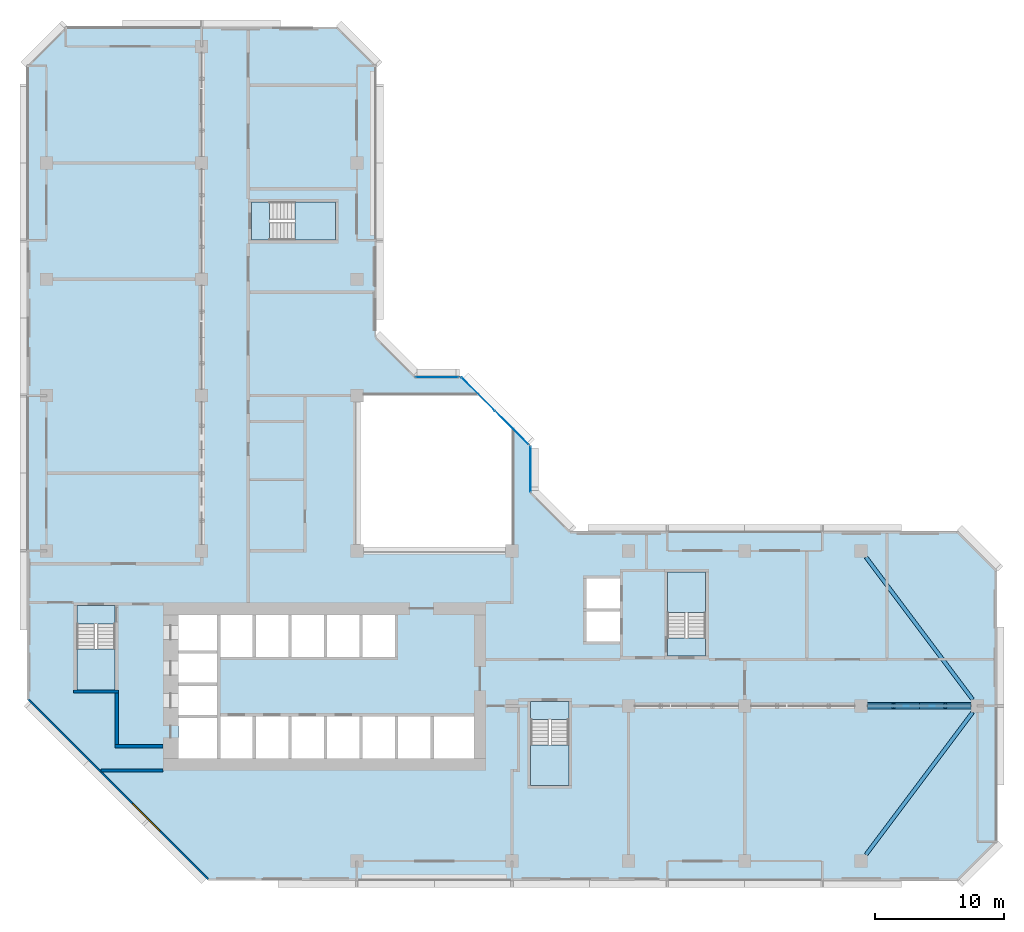
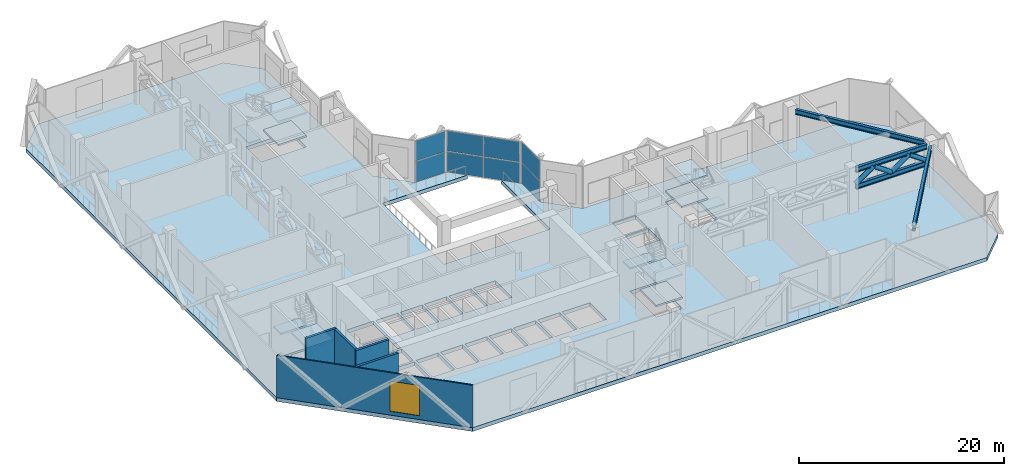
# One storey, part 5 of 15: 13 slabs, 8 plates, 5 walls, 4 beams, 4 members, 1 window, 1 opening, 7 elements without a shape of their own.
"""IFC4 building model written with IfcOpenShell, lengths in metres."""

from ifc_helpers import new_model, si_unit, direction, frame, frame_2d, origin, origin_2d, place, context, subcontext, project, spatial, polyline, rectangle, hollow_circle, i_section, outline, extrude, material, layer, layer_set, material_profile, profile_set, type_object, element, fill, aggregate, save


model = new_model("IFC4")

# Units and contexts
model_context = context("Model", 3, precision=1e-05, world=origin(), true_north=direction((0.0, 1.0)))
body_context = subcontext(model_context, "Body", "Model", "MODEL_VIEW")
ifc_project = project(units=[si_unit("LENGTHUNIT", "METRE"), si_unit("AREAUNIT", "SQUARE_METRE"), si_unit("VOLUMEUNIT", "CUBIC_METRE"), si_unit("PLANEANGLEUNIT", "RADIAN"), si_unit("MASSUNIT", "GRAM", prefix="KILO")], contexts=[model_context])

# Site, building, storey
site_placement = place(None, origin())
site = spatial("IfcSite", under=ifc_project, at=site_placement, CompositionType="ELEMENT")
building_placement = place(site_placement, origin())
building = spatial("IfcBuilding", under=site, at=building_placement, Name="Chenar Terraces", CompositionType="ELEMENT")
storey_placement = place(building_placement, frame((0.0, 0.0, 140.64990234375)))
storey = spatial("IfcBuildingStorey", under=building, at=storey_placement, Name="L33", CompositionType="ELEMENT", Elevation=140.64990234375)

# Beams
ifc_material_1 = material(Name="Structural steel S355", Category="steel")
ifc_material_profile_1 = material_profile(ifc_material_1, i_section(OverallWidth=0.300048828125, OverallDepth=0.60009765625, WebThickness=0.015380859375, FlangeThickness=0.030029296875, FilletRadius=0.027099609375, at=origin_2d()), Name="HEB 600")
ifc_profile_set_1 = profile_set([ifc_material_profile_1], Name="Structural steel S355")
beam_type_1 = type_object("IfcBeamType", Name="Belt truss chord HEB 600 S355", PredefinedType="BEAM", material=ifc_profile_set_1)
for number, where, z_axis, x_axis, name in (
    (1, (63.5, 12.0, 4.75), (1.0, 0.0, 0.0), (0.0, 1.0, 0.0), "Belt truss L33 A3 top chord"),
    (2, (63.5, 12.0, 2.75), (1.0, 0.0, 0.0), (0.0, 1.0, 0.0), "Belt truss L33 A3 bottom chord"),
):
    element("IfcBeam", number, at=place(storey_placement, frame(where, z_axis=z_axis, x_axis=x_axis)), inside=storey, type_object=beam_type_1, Name=name, PredefinedType="BEAM", context=body_context, shape_type="SweptSolid", body=[
        extrude(i_section(OverallWidth=0.300048828125, OverallDepth=0.60009765625, WebThickness=0.015380859375, FlangeThickness=0.030029296875, FilletRadius=0.027099609375, at=origin_2d()), origin(), (0.0, 0.0, 1.0), 8.0),
    ])

# Members
ifc_material_2 = material(Name="Structural steel S355", Category="steel")
ifc_material_profile_2 = material_profile(ifc_material_2, hollow_circle(Radius=0.25390625, WallThickness=0.02001953125, at=origin_2d()), Name="CHS 508x20")
ifc_profile_set_2 = profile_set([ifc_material_profile_2], Name="Structural steel S355")
member_type = type_object("IfcMemberType", Name="Belt truss diagonal CHS 508x20 S355", PredefinedType="BRACE", material=ifc_profile_set_2)
for number, where, z_axis, x_axis, name in (
    (3, (63.5, 12.0, 3.050048828125), (0.819203731481, 0.0, 0.57350261231), (0.0, 1.0, 0.0), "Belt truss L33 A3 diagonal 1"),
    (4, (65.5, 12.0, 4.4501953125), (0.819203731481, 0.0, -0.57350261231), (0.0, 1.0, 0.0), "Belt truss L33 A3 diagonal 2"),
    (5, (67.5, 12.0, 3.050048828125), (0.819203731481, 0.0, 0.57350261231), (0.0, 1.0, 0.0), "Belt truss L33 A3 diagonal 3"),
    (6, (69.5, 12.0, 4.4501953125), (0.819203731481, 0.0, -0.57350261231), (0.0, 1.0, 0.0), "Belt truss L33 A3 diagonal 4"),
):
    element("IfcMember", number, at=place(storey_placement, frame(where, z_axis=z_axis, x_axis=x_axis)), inside=storey, type_object=member_type, Name=name, PredefinedType="BRACE", context=body_context, shape_type="SweptSolid", body=[
        extrude(hollow_circle(Radius=0.25390625, WallThickness=0.02001953125, at=origin_2d()), origin(), (0.0, 0.0, 1.0), 2.44140625),
    ])

# Beams
ifc_material_3 = material(Name="Structural steel S355", Category="steel")
ifc_material_profile_3 = material_profile(ifc_material_3, i_section(OverallWidth=0.300048828125, OverallDepth=0.60009765625, WebThickness=0.015380859375, FlangeThickness=0.030029296875, FilletRadius=0.027099609375, at=origin_2d()), Name="HEB 600")
ifc_profile_set_3 = profile_set([ifc_material_profile_3], Name="Structural steel S355")
beam_type_2 = type_object("IfcBeamType", Name="Terrace girder HEB 600 S355", PredefinedType="BEAM", material=ifc_profile_set_3)
for number, where, z_axis, x_axis, name in (
    (7, (63.375, 0.5, 4.75), (0.6, 0.8, 0.0), (-0.8, 0.6, 0.0), "Terrace girder L34 1"),
    (8, (63.375, 23.5, 4.75), (0.6, -0.8, 0.0), (0.8, 0.6, 0.0), "Terrace girder L34 2"),
):
    element("IfcBeam", number, at=place(storey_placement, frame(where, z_axis=z_axis, x_axis=x_axis)), inside=storey, type_object=beam_type_2, Name=name, PredefinedType="BEAM", context=body_context, shape_type="SweptSolid", body=[
        extrude(i_section(OverallWidth=0.300048828125, OverallDepth=0.60009765625, WebThickness=0.015380859375, FlangeThickness=0.030029296875, FilletRadius=0.027099609375, at=origin_2d()), origin(), (0.0, 0.0, 1.0), 13.75),
    ])

# Curtain wall, plates
ifc_material_4 = material(Name="Aluminium framed glazing", Category="aluminium")
ifc_layer_1 = layer(ifc_material_4, 0.14990234375)
ifc_layer_set_1 = layer_set([ifc_layer_1], Name="Aluminium framed glazing")
curtain_wall_type = type_object("IfcCurtainWallType", Name="Atrium curtain wall", PredefinedType="NOTDEFINED", material=ifc_layer_set_1)
placement_1 = place(storey_placement, origin())
curtain_wall_1 = element("IfcCurtainWall", 9, at=placement_1, inside=storey, type_object=curtain_wall_type, Name="Atrium curtain wall", PredefinedType="NOTDEFINED")
ifc_material_5 = material(Name="Low emissivity laminated glass, solar control coating", Category="glass")
ifc_layer_2 = layer(ifc_material_5, 0.028076171875)
ifc_layer_set_2 = layer_set([ifc_layer_2], Name="Low emissivity laminated glass, solar control coating")
plate_type = type_object("IfcPlateType", Name="Atrium glazing panel 28", PredefinedType="CURTAIN_PANEL", material=ifc_layer_set_2)
plate_1_placement = place(storey_placement, frame((37.425048828125, 30.300048828125, 0.06005859375), z_axis=(0.0, 0.0, 1.0), x_axis=(0.0, 1.0, 0.0)))
plate_1 = element("IfcPlate", 10, at=plate_1_placement, type_object=plate_type, Name="CW1-1 panel 1.1", PredefinedType="CURTAIN_PANEL", context=body_context, shape_type="SweptSolid", body=[
    extrude(rectangle(XDim=3.47998046875, YDim=0.028076171875, at=origin_2d()), origin(), (0.0, 0.0, 1.0), 2.43505859375),
])
plate_2_placement = place(storey_placement, frame((37.425048828125, 30.300048828125, 2.55517578125), z_axis=(0.0, 0.0, 1.0), x_axis=(0.0, 1.0, 0.0)))
plate_2 = element("IfcPlate", 11, at=plate_2_placement, type_object=plate_type, Name="CW1-1 panel 1.2", PredefinedType="CURTAIN_PANEL", context=body_context, shape_type="SweptSolid", body=[
    extrude(rectangle(XDim=3.47998046875, YDim=0.028076171875, at=origin_2d()), origin(), (0.0, 0.0, 1.0), 2.43505859375),
])
aggregate(curtain_wall_1, [plate_1, plate_2])

curtain_wall_2 = element("IfcCurtainWall", 12, at=placement_1, inside=storey, type_object=curtain_wall_type, Name="Atrium curtain wall", PredefinedType="NOTDEFINED")
plate_3_placement = place(storey_placement, frame((35.980224609375, 33.513671875, 0.06005859375), z_axis=(0.0, 0.0, 1.0), x_axis=(-0.707106781187, 0.707106781187, 0.0)))
plate_3 = element("IfcPlate", 13, at=plate_3_placement, type_object=plate_type, Name="CW1-2 panel 1.1", PredefinedType="CURTAIN_PANEL", context=body_context, shape_type="SweptSolid", body=[
    extrude(rectangle(XDim=3.62841796875, YDim=0.028076171875, at=origin_2d()), origin(), (0.0, 0.0, 1.0), 2.43505859375),
])
plate_4_placement = place(storey_placement, frame((35.980224609375, 33.513671875, 2.55517578125), z_axis=(0.0, 0.0, 1.0), x_axis=(-0.707106781187, 0.707106781187, 0.0)))
plate_4 = element("IfcPlate", 14, at=plate_4_placement, type_object=plate_type, Name="CW1-2 panel 1.2", PredefinedType="CURTAIN_PANEL", context=body_context, shape_type="SweptSolid", body=[
    extrude(rectangle(XDim=3.62841796875, YDim=0.028076171875, at=origin_2d()), origin(), (0.0, 0.0, 1.0), 2.43505859375),
])
plate_5_placement = place(storey_placement, frame((33.3720703125, 36.121826171875, 0.06005859375), z_axis=(0.0, 0.0, 1.0), x_axis=(-0.707106781187, 0.707106781187, 0.0)))
plate_5 = element("IfcPlate", 15, at=plate_5_placement, type_object=plate_type, Name="CW1-2 panel 2.1", PredefinedType="CURTAIN_PANEL", context=body_context, shape_type="SweptSolid", body=[
    extrude(rectangle(XDim=3.62841796875, YDim=0.028076171875, at=origin_2d()), origin(), (0.0, 0.0, 1.0), 2.43505859375),
])
plate_6_placement = place(storey_placement, frame((33.3720703125, 36.121826171875, 2.55517578125), z_axis=(0.0, 0.0, 1.0), x_axis=(-0.707106781187, 0.707106781187, 0.0)))
plate_6 = element("IfcPlate", 16, at=plate_6_placement, type_object=plate_type, Name="CW1-2 panel 2.2", PredefinedType="CURTAIN_PANEL", context=body_context, shape_type="SweptSolid", body=[
    extrude(rectangle(XDim=3.62841796875, YDim=0.028076171875, at=origin_2d()), origin(), (0.0, 0.0, 1.0), 2.43505859375),
])
aggregate(curtain_wall_2, [plate_3, plate_4, plate_5, plate_6])

curtain_wall_3 = element("IfcCurtainWall", 17, at=placement_1, inside=storey, type_object=curtain_wall_type, Name="Atrium curtain wall", PredefinedType="NOTDEFINED")
plate_7_placement = place(storey_placement, frame((30.199951171875, 37.425048828125, 0.06005859375), z_axis=(0.0, 0.0, 1.0), x_axis=(-1.0, 0.0, 0.0)))
plate_7 = element("IfcPlate", 18, at=plate_7_placement, type_object=plate_type, Name="CW1-3 panel 1.1", PredefinedType="CURTAIN_PANEL", context=body_context, shape_type="SweptSolid", body=[
    extrude(rectangle(XDim=3.280029296875, YDim=0.028076171875, at=origin_2d()), origin(), (0.0, 0.0, 1.0), 2.43505859375),
])
plate_8_placement = place(storey_placement, frame((30.199951171875, 37.425048828125, 2.55517578125), z_axis=(0.0, 0.0, 1.0), x_axis=(-1.0, 0.0, 0.0)))
plate_8 = element("IfcPlate", 19, at=plate_8_placement, type_object=plate_type, Name="CW1-3 panel 1.2", PredefinedType="CURTAIN_PANEL", context=body_context, shape_type="SweptSolid", body=[
    extrude(rectangle(XDim=3.280029296875, YDim=0.028076171875, at=origin_2d()), origin(), (0.0, 0.0, 1.0), 2.43505859375),
])
aggregate(curtain_wall_3, [plate_7, plate_8])

# Stair, slabs
ifc_material_6 = material(Name="Reinforced concrete C40/50", Category="concrete")
stair_type = type_object("IfcStairType", Name="Core stair 1400 half-turn", PredefinedType="HALF_TURN_STAIR", material=ifc_material_6)
stair_1 = element("IfcStair", 20, at=placement_1, inside=storey, type_object=stair_type, Name="L33 Stair 1", PredefinedType="HALF_TURN_STAIR")
ifc_material_7 = material(Name="Reinforced concrete C40/50", Category="concrete")
ifc_layer_3 = layer(ifc_material_7, 0.199951171875)
ifc_layer_set_3 = layer_set([ifc_layer_3], Name="Reinforced concrete C40/50")
slab_type_1 = type_object("IfcSlabType", Name="Core stair landing 200", PredefinedType="LANDING", material=ifc_layer_set_3)
placement_2 = place(storey_placement, frame((0.0, 0.0, 1.175048828125)))
slab_1 = element("IfcSlab", 21, at=placement_2, type_object=slab_type_1, Name="ST1 landing 1", PredefinedType="LANDING", context=body_context, shape_type="SweptSolid", body=[
    extrude(outline(polyline([(2.35009765625, 16.389892578125), (2.35009765625, 13.25), (5.300048828125, 13.25), (5.300048828125, 16.389892578125), (2.35009765625, 16.389892578125)])), origin(), (0.0, 0.0, 1.0), 0.199951171875),
])
placement_3 = place(storey_placement, frame((0.0, 0.0, 2.550048828125)))
slab_2 = element("IfcSlab", 22, at=placement_3, type_object=slab_type_1, Name="ST1 landing 2", PredefinedType="LANDING", context=body_context, shape_type="SweptSolid", body=[
    extrude(outline(polyline([(2.35009765625, 19.75), (2.35009765625, 18.35009765625), (5.300048828125, 18.35009765625), (5.300048828125, 19.75), (2.35009765625, 19.75)])), origin(), (0.0, 0.0, 1.0), 0.199951171875),
])
placement_4 = place(storey_placement, frame((0.0, 0.0, 3.925048828125)))
slab_3 = element("IfcSlab", 23, at=placement_4, type_object=slab_type_1, Name="ST1 landing 3", PredefinedType="LANDING", context=body_context, shape_type="SweptSolid", body=[
    extrude(outline(polyline([(2.35009765625, 16.389892578125), (2.35009765625, 13.25), (5.300048828125, 13.25), (5.300048828125, 16.389892578125), (2.35009765625, 16.389892578125)])), origin(), (0.0, 0.0, 1.0), 0.199951171875),
])
aggregate(stair_1, [slab_1, slab_2, slab_3])

stair_2 = element("IfcStair", 24, at=placement_1, inside=storey, type_object=stair_type, Name="L33 Stair 2", PredefinedType="HALF_TURN_STAIR")
slab_4 = element("IfcSlab", 25, at=placement_2, type_object=slab_type_1, Name="ST2 landing 1", PredefinedType="LANDING", context=body_context, shape_type="SweptSolid", body=[
    extrude(outline(polyline([(37.449951171875, 8.989990234375), (37.449951171875, 5.85009765625), (40.39990234375, 5.85009765625), (40.39990234375, 8.989990234375), (37.449951171875, 8.989990234375)])), origin(), (0.0, 0.0, 1.0), 0.199951171875),
])
slab_5 = element("IfcSlab", 26, at=placement_3, type_object=slab_type_1, Name="ST2 landing 2", PredefinedType="LANDING", context=body_context, shape_type="SweptSolid", body=[
    extrude(outline(polyline([(37.449951171875, 12.35009765625), (37.449951171875, 10.949951171875), (40.39990234375, 10.949951171875), (40.39990234375, 12.35009765625), (37.449951171875, 12.35009765625)])), origin(), (0.0, 0.0, 1.0), 0.199951171875),
])
slab_6 = element("IfcSlab", 27, at=placement_4, type_object=slab_type_1, Name="ST2 landing 3", PredefinedType="LANDING", context=body_context, shape_type="SweptSolid", body=[
    extrude(outline(polyline([(37.449951171875, 8.989990234375), (37.449951171875, 5.85009765625), (40.39990234375, 5.85009765625), (40.39990234375, 8.989990234375), (37.449951171875, 8.989990234375)])), origin(), (0.0, 0.0, 1.0), 0.199951171875),
])
aggregate(stair_2, [slab_4, slab_5, slab_6])

stair_3 = element("IfcStair", 28, at=placement_1, inside=storey, type_object=stair_type, Name="L33 Stair 3", PredefinedType="HALF_TURN_STAIR")
slab_7 = element("IfcSlab", 29, at=placement_2, type_object=slab_type_1, Name="ST3 landing 1", PredefinedType="LANDING", context=body_context, shape_type="SweptSolid", body=[
    extrude(outline(polyline([(50.97509765625, 19.2099609375), (50.97509765625, 22.35009765625), (48.02490234375, 22.35009765625), (48.02490234375, 19.2099609375), (50.97509765625, 19.2099609375)])), origin(), (0.0, 0.0, 1.0), 0.199951171875),
])
slab_8 = element("IfcSlab", 30, at=placement_3, type_object=slab_type_1, Name="ST3 landing 2", PredefinedType="LANDING", context=body_context, shape_type="SweptSolid", body=[
    extrude(outline(polyline([(50.97509765625, 15.85009765625), (50.97509765625, 17.25), (48.02490234375, 17.25), (48.02490234375, 15.85009765625), (50.97509765625, 15.85009765625)])), origin(), (0.0, 0.0, 1.0), 0.199951171875),
])
slab_9 = element("IfcSlab", 31, at=placement_4, type_object=slab_type_1, Name="ST3 landing 3", PredefinedType="LANDING", context=body_context, shape_type="SweptSolid", body=[
    extrude(outline(polyline([(50.97509765625, 19.2099609375), (50.97509765625, 22.35009765625), (48.02490234375, 22.35009765625), (48.02490234375, 19.2099609375), (50.97509765625, 19.2099609375)])), origin(), (0.0, 0.0, 1.0), 0.199951171875),
])
aggregate(stair_3, [slab_7, slab_8, slab_9])

stair_4 = element("IfcStair", 32, at=placement_1, inside=storey, type_object=stair_type, Name="L33 Stair 4", PredefinedType="HALF_TURN_STAIR")
slab_10 = element("IfcSlab", 33, at=placement_2, type_object=slab_type_1, Name="ST4 landing 1", PredefinedType="LANDING", context=body_context, shape_type="SweptSolid", body=[
    extrude(outline(polyline([(19.2099609375, 48.02490234375), (22.35009765625, 48.02490234375), (22.35009765625, 50.97509765625), (19.2099609375, 50.97509765625), (19.2099609375, 48.02490234375)])), origin(), (0.0, 0.0, 1.0), 0.199951171875),
])
slab_11 = element("IfcSlab", 34, at=placement_3, type_object=slab_type_1, Name="ST4 landing 2", PredefinedType="LANDING", context=body_context, shape_type="SweptSolid", body=[
    extrude(outline(polyline([(15.85009765625, 48.02490234375), (17.25, 48.02490234375), (17.25, 50.97509765625), (15.85009765625, 50.97509765625), (15.85009765625, 48.02490234375)])), origin(), (0.0, 0.0, 1.0), 0.199951171875),
])
slab_12 = element("IfcSlab", 35, at=placement_4, type_object=slab_type_1, Name="ST4 landing 3", PredefinedType="LANDING", context=body_context, shape_type="SweptSolid", body=[
    extrude(outline(polyline([(19.2099609375, 48.02490234375), (22.35009765625, 48.02490234375), (22.35009765625, 50.97509765625), (19.2099609375, 50.97509765625), (19.2099609375, 48.02490234375)])), origin(), (0.0, 0.0, 1.0), 0.199951171875),
])
aggregate(stair_4, [slab_10, slab_11, slab_12])

# Slab
ifc_material_8 = material(Name="Concrete C40/50", Category="concrete")
ifc_layer_4 = layer(ifc_material_8, 0.449951171875)
ifc_layer_set_4 = layer_set([ifc_layer_4], Name="Concrete C40/50")
slab_type_2 = type_object("IfcSlabType", Name="Floor slab 450 Concrete C40/50", PredefinedType="FLOOR", material=ifc_layer_set_4)
slab_13_placement = place(storey_placement, frame((0.0, 0.0, -0.449951171875)))
element("IfcSlab", 36, at=slab_13_placement, inside=storey, type_object=slab_type_2, Name="Floor slab L33", PredefinedType="FLOOR", context=body_context, shape_type="SweptSolid", body=[
    extrude(outline(polyline([(73.5, 22.5), (73.5, 1.5), (70.5, -1.5), (12.5, -1.5), (-1.5, 12.5), (-1.5, 61.5), (1.5, 64.5), (22.5, 64.5), (25.5, 61.5), (25.5, 40.5), (28.5, 37.5), (32.10009765625, 37.5), (33.60009765625, 36.0), (24.0, 36.0), (24.0, 24.0), (36.0, 24.0), (36.0, 33.60009765625), (37.5, 32.10009765625), (37.5, 28.5), (40.5, 25.5), (70.5, 25.5), (73.5, 22.5)]), holes=[polyline([(13.199951171875, 11.050048828125), (10.199951171875, 11.050048828125), (10.199951171875, 7.949951171875), (13.199951171875, 7.949951171875), (13.199951171875, 11.050048828125)]), polyline([(15.949951171875, 11.199951171875), (13.449951171875, 11.199951171875), (13.449951171875, 7.949951171875), (15.949951171875, 7.949951171875), (15.949951171875, 11.199951171875)]), polyline([(18.699951171875, 11.199951171875), (16.199951171875, 11.199951171875), (16.199951171875, 7.949951171875), (18.699951171875, 7.949951171875), (18.699951171875, 11.199951171875)]), polyline([(21.449951171875, 7.949951171875), (21.449951171875, 11.199951171875), (18.949951171875, 11.199951171875), (18.949951171875, 7.949951171875), (21.449951171875, 7.949951171875)]), polyline([(13.199951171875, 11.300048828125), (13.199951171875, 13.550048828125), (10.199951171875, 13.550048828125), (10.199951171875, 11.300048828125), (13.199951171875, 11.300048828125)]), polyline([(13.199951171875, 16.050048828125), (10.199951171875, 16.050048828125), (10.199951171875, 13.800048828125), (13.199951171875, 13.800048828125), (13.199951171875, 16.050048828125)]), polyline([(2.35009765625, 18.35009765625), (2.35009765625, 13.25), (5.300048828125, 13.25), (5.300048828125, 18.35009765625), (2.35009765625, 18.35009765625)]), polyline([(15.949951171875, 15.800048828125), (15.949951171875, 19.050048828125), (13.449951171875, 19.050048828125), (13.449951171875, 15.800048828125), (15.949951171875, 15.800048828125)]), polyline([(18.699951171875, 19.050048828125), (16.199951171875, 19.050048828125), (16.199951171875, 15.800048828125), (18.699951171875, 15.800048828125), (18.699951171875, 19.050048828125)]), polyline([(21.449951171875, 15.800048828125), (21.449951171875, 19.050048828125), (18.949951171875, 19.050048828125), (18.949951171875, 15.800048828125), (21.449951171875, 15.800048828125)]), polyline([(13.199951171875, 16.300048828125), (13.199951171875, 19.050048828125), (10.199951171875, 19.050048828125), (10.199951171875, 16.300048828125), (13.199951171875, 16.300048828125)]), polyline([(22.35009765625, 48.02490234375), (22.35009765625, 50.97509765625), (17.25, 50.97509765625), (17.25, 48.02490234375), (22.35009765625, 48.02490234375)]), polyline([(37.449951171875, 10.949951171875), (37.449951171875, 5.85009765625), (40.39990234375, 5.85009765625), (40.39990234375, 10.949951171875), (37.449951171875, 10.949951171875)]), polyline([(24.199951171875, 7.949951171875), (24.199951171875, 11.199951171875), (21.699951171875, 11.199951171875), (21.699951171875, 7.949951171875), (24.199951171875, 7.949951171875)]), polyline([(26.949951171875, 11.199951171875), (24.449951171875, 11.199951171875), (24.449951171875, 7.949951171875), (26.949951171875, 7.949951171875), (26.949951171875, 11.199951171875)]), polyline([(29.699951171875, 7.949951171875), (29.699951171875, 11.199951171875), (27.199951171875, 11.199951171875), (27.199951171875, 7.949951171875), (29.699951171875, 7.949951171875)]), polyline([(33.050048828125, 7.949951171875), (33.050048828125, 11.199951171875), (29.949951171875, 11.199951171875), (29.949951171875, 7.949951171875), (33.050048828125, 7.949951171875)]), polyline([(24.199951171875, 19.050048828125), (21.699951171875, 19.050048828125), (21.699951171875, 15.800048828125), (24.199951171875, 15.800048828125), (24.199951171875, 19.050048828125)]), polyline([(26.949951171875, 15.800048828125), (26.949951171875, 19.050048828125), (24.449951171875, 19.050048828125), (24.449951171875, 15.800048828125), (26.949951171875, 15.800048828125)]), polyline([(44.35009765625, 17.0), (44.35009765625, 19.300048828125), (41.75, 19.300048828125), (41.75, 17.0), (44.35009765625, 17.0)]), polyline([(50.97509765625, 22.35009765625), (48.02490234375, 22.35009765625), (48.02490234375, 17.25), (50.97509765625, 17.25), (50.97509765625, 22.35009765625)]), polyline([(44.35009765625, 19.550048828125), (44.35009765625, 21.85009765625), (41.75, 21.85009765625), (41.75, 19.550048828125), (44.35009765625, 19.550048828125)])]), origin(), (0.0, 0.0, 1.0), 0.449951171875),
])

# Walls
ifc_material_9 = material(Name="Concrete C70/85", Category="concrete")
ifc_layer_5 = layer(ifc_material_9, 0.25)
ifc_layer_set_5 = layer_set([ifc_layer_5], Name="Concrete C70/85")
wall_type_1 = type_object("IfcWallType", Name="Core wall 250 Concrete C70/85", PredefinedType="SHEAR", material=ifc_layer_set_5)
wall_1_placement = place(storey_placement, frame((2.10009765625, 13.125, 0.0), z_axis=(0.0, 0.0, 1.0), x_axis=(1.0, 0.0, 0.0)))
element("IfcWall", 37, at=wall_1_placement, inside=storey, type_object=wall_type_1, Name="Core wall ST1_S L33", PredefinedType="SHEAR", context=body_context, shape_type="SweptSolid", body=[
    extrude(rectangle(XDim=3.449951171875, YDim=0.25, at=frame_2d((1.72509765625, 0.0))), origin(), (0.0, 0.0, 1.0), 5.5),
])
wall_2_placement = place(storey_placement, frame((5.300048828125, 8.875, 0.0), z_axis=(0.0, 0.0, 1.0), x_axis=(1.0, 0.0, 0.0)))
element("IfcWall", 38, at=wall_2_placement, inside=storey, type_object=wall_type_1, Name="Core wall FFL_S L33", PredefinedType="SHEAR", context=body_context, shape_type="SweptSolid", body=[
    extrude(rectangle(XDim=3.699951171875, YDim=0.25, at=frame_2d((1.85009765625, 0.0))), origin(), (0.0, 0.0, 1.0), 5.5),
])
wall_3_placement = place(storey_placement, frame((5.425048828125, 9.0, 0.0), z_axis=(0.0, 0.0, 1.0), x_axis=(0.0, 1.0, 0.0)))
element("IfcWall", 39, at=wall_3_placement, inside=storey, type_object=wall_type_1, Name="Core wall FFL_W L33", PredefinedType="SHEAR", context=body_context, shape_type="SweptSolid", body=[
    extrude(rectangle(XDim=4.0, YDim=0.25, at=frame_2d((2.0, 0.0))), origin(), (0.0, 0.0, 1.0), 5.5),
])
ifc_material_10 = material(Name="Fire-board and steel stud wall with mineral wool", Category="steel")
ifc_layer_6 = layer(ifc_material_10, 0.25)
ifc_layer_set_6 = layer_set([ifc_layer_6], Name="Fire-board and steel stud wall with mineral wool")
wall_type_2 = type_object("IfcWallType", Name="Refuge compartment wall 250", PredefinedType="PARTITIONING", material=ifc_layer_set_6)
wall_4_placement = place(storey_placement, frame((4.2109375, 7.0, 0.0), z_axis=(0.0, 0.0, 1.0), x_axis=(1.0, 0.0, 0.0)))
element("IfcWall", 40, at=wall_4_placement, inside=storey, type_object=wall_type_2, Name="Partition L33-006", PredefinedType="PARTITIONING", context=body_context, shape_type="SweptSolid", body=[
    extrude(rectangle(XDim=4.7890625, YDim=0.25, at=frame_2d((2.39453125, 0.0))), origin(), (0.0, 0.0, 1.0), 5.050048828125),
])

# Wall, opening, window
ifc_material_11 = material(Name="Terracotta cladding on insulated backing", Category="masonry")
ifc_layer_7 = layer(ifc_material_11, 0.14990234375)
ifc_layer_set_7 = layer_set([ifc_layer_7], Name="Terracotta cladding on insulated backing")
wall_type_3 = type_object("IfcWallType", Name="Terracotta rainscreen wall 150", PredefinedType="SOLIDWALL", material=ifc_layer_set_7)
wall_5_placement = place(storey_placement, frame((-1.447021484375, 12.552978515625, 0.0), z_axis=(0.0, 0.0, 1.0), x_axis=(0.707106781187, -0.707106781187, 0.0)))
wall_5 = element("IfcWall", 41, at=wall_5_placement, inside=storey, type_object=wall_type_3, Name="Terracotta rainscreen wall", PredefinedType="SOLIDWALL", context=body_context, shape_type="SweptSolid", body=[
    extrude(rectangle(XDim=19.799072265625, YDim=0.14990234375, at=frame_2d((9.8994140625, 0.0))), origin(), (0.0, 0.0, 1.0), 5.050048828125),
])
opening_placement = place(wall_5_placement, frame((11.452880859375, 0.0, 0.449951171875)))
opening = element("IfcOpeningElement", 42, at=opening_placement, cuts=wall_5, Name="Opening W300x360", PredefinedType="OPENING", context=body_context, shape_type="SweptSolid", body=[
    extrude(rectangle(XDim=3.0, YDim=3.60009765625, at=frame_2d((1.5, 1.800048828125))), frame((0.0, 0.0849609375, 0.0), z_axis=(0.0, -1.0, 0.0), x_axis=(1.0, 0.0, 0.0)), (0.0, 0.0, 1.0), 0.169921875),
])
ifc_material_12 = material(Name="Low emissivity double glazing, aluminium frame", Category="aluminium")
window_type = type_object("IfcWindowType", Name="Fixed light 3000 x 3600", PartitioningType="SINGLE_PANEL", PredefinedType="WINDOW", material=ifc_material_12)
window_placement = place(opening_placement, origin())
window = element("IfcWindow", 43, at=window_placement, inside=storey, type_object=window_type, Name="Window", OverallHeight=3.60009765625, OverallWidth=3.0, PartitioningType="SINGLE_PANEL", PredefinedType="WINDOW", context=body_context, shape_type="SweptSolid", body=[
    extrude(rectangle(XDim=3.0, YDim=3.60009765625, at=frame_2d((1.5, 1.800048828125))), frame((0.0, 0.030029296875, 0.0), z_axis=(0.0, -1.0, 0.0), x_axis=(1.0, 0.0, 0.0)), (0.0, 0.0, 1.0), 0.06005859375),
])
fill(opening, window)

save(model, "model.ifc")
